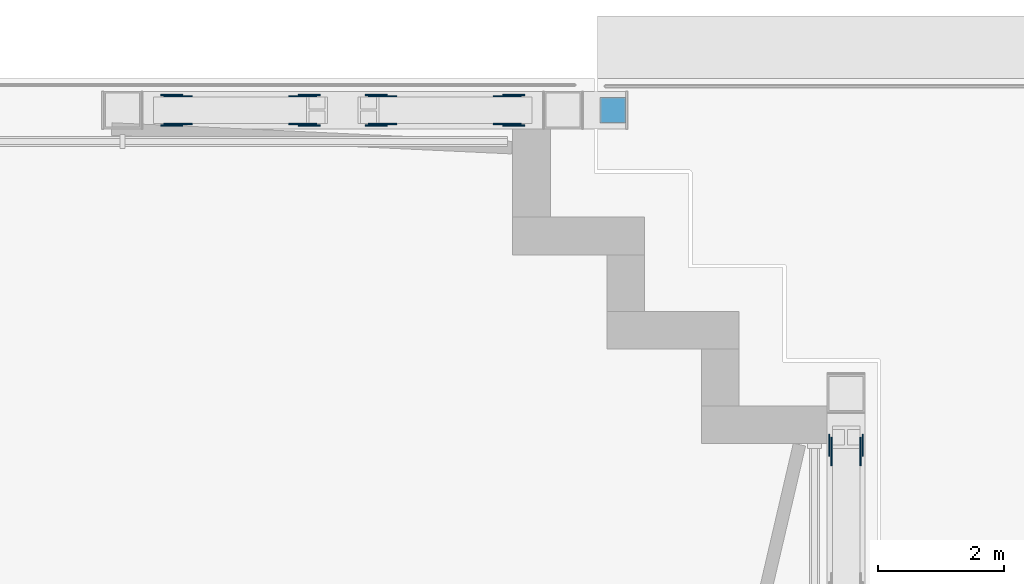
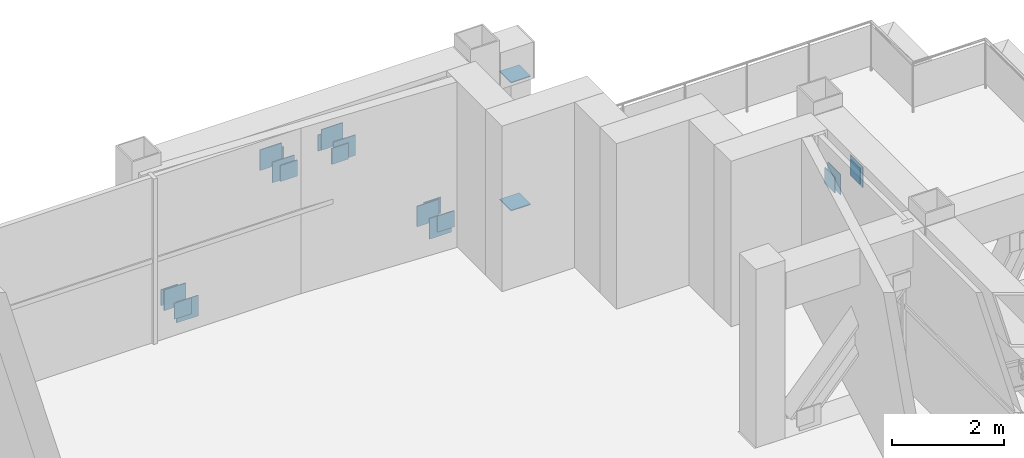
# One storey, part 18 of 21: 22 discrete accessories.
"""IFC4 building model written with IfcOpenShell, lengths in metres."""

from ifc_helpers import new_model, si_unit, direction, frame, origin, origin_2d, place, context, subcontext, project, spatial, rectangle, extrude, element, save


model = new_model("IFC4")

# Units and contexts
model_context = context("Model", 3, precision=1e-05, world=origin(), true_north=direction((0.0, 1.0)))
body_context = subcontext(model_context, "Body", "Model", "MODEL_VIEW")
ifc_project = project(units=[si_unit("LENGTHUNIT", "METRE"), si_unit("AREAUNIT", "SQUARE_METRE"), si_unit("VOLUMEUNIT", "CUBIC_METRE"), si_unit("PLANEANGLEUNIT", "RADIAN"), si_unit("MASSUNIT", "GRAM", prefix="KILO")], contexts=[model_context])

# Site, building, storey
site_placement = place(None, origin())
site = spatial("IfcSite", under=ifc_project, at=site_placement, CompositionType="ELEMENT")
building_placement = place(site_placement, origin())
building = spatial("IfcBuilding", under=site, at=building_placement, Name="Vidyagriha Tower", CompositionType="ELEMENT")
storey_placement = place(building_placement, frame((0.0, 0.0, 203.699951171875)))
storey = spatial("IfcBuildingStorey", under=building, at=storey_placement, Name="L52", CompositionType="ELEMENT", Elevation=203.699951171875)

# Discrete accessories
for number, where, name in (
    (1, (18.88330078125, 19.721923828125, 0.0), "Truss gusset plate ASTM A572 Grade 50 20mm"),
    (2, (18.88330078125, 19.278076171875, 0.0), "Truss gusset plate ASTM A572 Grade 50 20mm"),
    (3, (20.86669921875, 19.721923828125, 2.3701171875), "Truss gusset plate ASTM A572 Grade 50 20mm"),
    (4, (20.86669921875, 19.278076171875, 2.3701171875), "Truss gusset plate ASTM A572 Grade 50 20mm"),
    (5, (22.13330078125, 19.721923828125, 2.3701171875), "Truss gusset plate ASTM A572 Grade 50 20mm"),
    (6, (22.13330078125, 19.278076171875, 2.3701171875), "Truss gusset plate ASTM A572 Grade 50 20mm"),
    (7, (24.11669921875, 19.721923828125, 0.0), "Truss gusset plate ASTM A572 Grade 50 20mm"),
    (8, (24.11669921875, 19.278076171875, 0.0), "Truss gusset plate ASTM A572 Grade 50 20mm"),
):
    element("IfcDiscreteAccessory", number, at=place(storey_placement, frame(where)), inside=storey, Name=name, ObjectType="GUSSET PLATE", PredefinedType="USERDEFINED", context=body_context, shape_type="SweptSolid", body=[
        extrude(rectangle(XDim=0.449951171875, YDim=0.02001953125, at=origin_2d()), origin(), (0.0, 0.0, 1.0), 0.449951171875),
    ])
for number, where, z_axis, x_axis, name in (
    (9, (29.2705078125, 14.076171875, 2.3701171875), (0.0, 0.0, 1.0), (0.0, 1.0, 0.0), "Truss gusset plate ASTM A572 Grade 50 20mm"),
    (10, (29.7294921875, 14.076171875, 2.3701171875), (0.0, 0.0, 1.0), (0.0, 1.0, 0.0), "Truss gusset plate ASTM A572 Grade 50 20mm"),
):
    element("IfcDiscreteAccessory", number, at=place(storey_placement, frame(where, z_axis=z_axis, x_axis=x_axis)), inside=storey, Name=name, ObjectType="GUSSET PLATE", PredefinedType="USERDEFINED", context=body_context, shape_type="SweptSolid", body=[
        extrude(rectangle(XDim=0.449951171875, YDim=0.02001953125, at=origin_2d()), origin(), (0.0, 0.0, 1.0), 0.449951171875),
    ])
for number, where, z_axis, x_axis, name in (
    (11, (18.780517578125, 19.257568359375, 0.112548828125), (0.0, 0.0, 1.0), (-1.0, 0.0, 0.0), "End plate ASTM A572 Grade 50 20mm"),
    (12, (18.780517578125, 19.742431640625, 0.112548828125), (0.0, 0.0, 1.0), (-1.0, 0.0, 0.0), "End plate ASTM A572 Grade 50 20mm"),
):
    element("IfcDiscreteAccessory", number, at=place(storey_placement, frame(where, z_axis=z_axis, x_axis=x_axis)), inside=storey, Name=name, ObjectType="END PLATE", PredefinedType="USERDEFINED", context=body_context, shape_type="SweptSolid", body=[
        extrude(rectangle(XDim=0.35009765625, YDim=0.02001953125, at=origin_2d()), origin(), (0.0, 0.0, 1.0), 0.35009765625),
    ])
for number, where, name in (
    (13, (20.969482421875, 19.742431640625, 2.357421875), "End plate ASTM A572 Grade 50 20mm"),
    (14, (20.969482421875, 19.257568359375, 2.357421875), "End plate ASTM A572 Grade 50 20mm"),
):
    element("IfcDiscreteAccessory", number, at=place(storey_placement, frame(where)), inside=storey, Name=name, ObjectType="END PLATE", PredefinedType="USERDEFINED", context=body_context, shape_type="SweptSolid", body=[
        extrude(rectangle(XDim=0.35009765625, YDim=0.02001953125, at=origin_2d()), origin(), (0.0, 0.0, 1.0), 0.35009765625),
    ])
for number, where, z_axis, x_axis, name in (
    (15, (22.030517578125, 19.257568359375, 2.357421875), (0.0, 0.0, 1.0), (-1.0, 0.0, 0.0), "End plate ASTM A572 Grade 50 20mm"),
    (16, (22.030517578125, 19.742431640625, 2.357421875), (0.0, 0.0, 1.0), (-1.0, 0.0, 0.0), "End plate ASTM A572 Grade 50 20mm"),
):
    element("IfcDiscreteAccessory", number, at=place(storey_placement, frame(where, z_axis=z_axis, x_axis=x_axis)), inside=storey, Name=name, ObjectType="END PLATE", PredefinedType="USERDEFINED", context=body_context, shape_type="SweptSolid", body=[
        extrude(rectangle(XDim=0.35009765625, YDim=0.02001953125, at=origin_2d()), origin(), (0.0, 0.0, 1.0), 0.35009765625),
    ])
for number, where, name in (
    (17, (24.219482421875, 19.742431640625, 0.112548828125), "End plate ASTM A572 Grade 50 20mm"),
    (18, (24.219482421875, 19.257568359375, 0.112548828125), "End plate ASTM A572 Grade 50 20mm"),
):
    element("IfcDiscreteAccessory", number, at=place(storey_placement, frame(where)), inside=storey, Name=name, ObjectType="END PLATE", PredefinedType="USERDEFINED", context=body_context, shape_type="SweptSolid", body=[
        extrude(rectangle(XDim=0.35009765625, YDim=0.02001953125, at=origin_2d()), origin(), (0.0, 0.0, 1.0), 0.35009765625),
    ])
for number, where, name in (
    (19, (25.796875, 19.5, -0.000244140625), "End plate ASTM A572 Grade 50 20mm"),
    (20, (25.796875, 19.5, 2.80029296875), "End plate ASTM A572 Grade 50 20mm"),
):
    element("IfcDiscreteAccessory", number, at=place(storey_placement, frame(where)), inside=storey, Name=name, ObjectType="END PLATE", PredefinedType="USERDEFINED", context=body_context, shape_type="SweptSolid", body=[
        extrude(rectangle(XDim=0.406494140625, YDim=0.406494140625, at=origin_2d()), origin(), (0.0, 0.0, 1.0), 0.02001953125),
    ])
for number, where, z_axis, x_axis, name in (
    (21, (29.2333984375, 14.173583984375, 2.338134765625), (0.0, 0.0, 1.0), (0.0, 1.0, 0.0), "End plate ASTM A572 Grade 50 20mm"),
    (22, (29.7666015625, 14.173583984375, 2.338134765625), (0.0, 0.0, 1.0), (0.0, 1.0, 0.0), "End plate ASTM A572 Grade 50 20mm"),
):
    element("IfcDiscreteAccessory", number, at=place(storey_placement, frame(where, z_axis=z_axis, x_axis=x_axis)), inside=storey, Name=name, ObjectType="END PLATE", PredefinedType="USERDEFINED", context=body_context, shape_type="SweptSolid", body=[
        extrude(rectangle(XDim=0.35009765625, YDim=0.02001953125, at=origin_2d()), origin(), (0.0, 0.0, 1.0), 0.35009765625),
    ])

save(model, "model.ifc")
